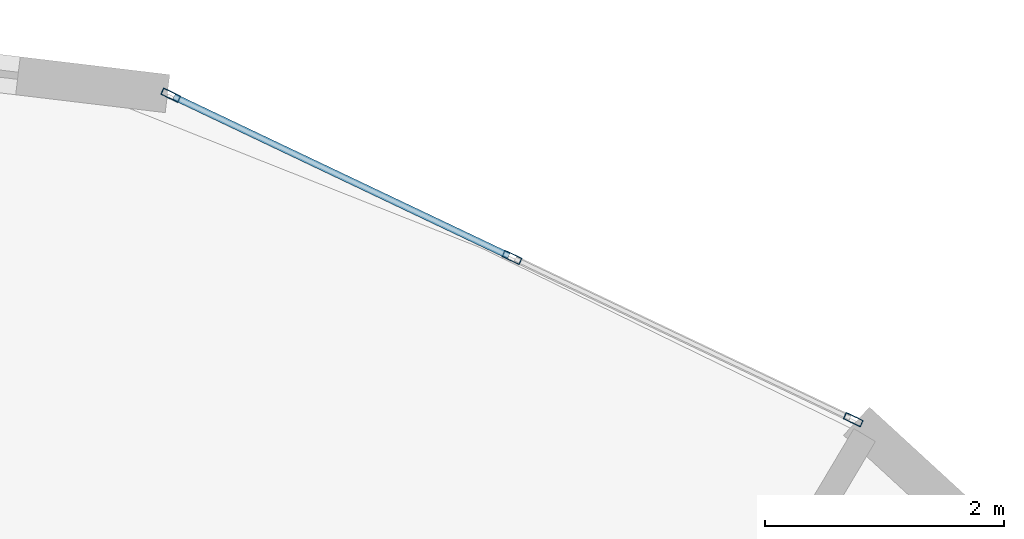
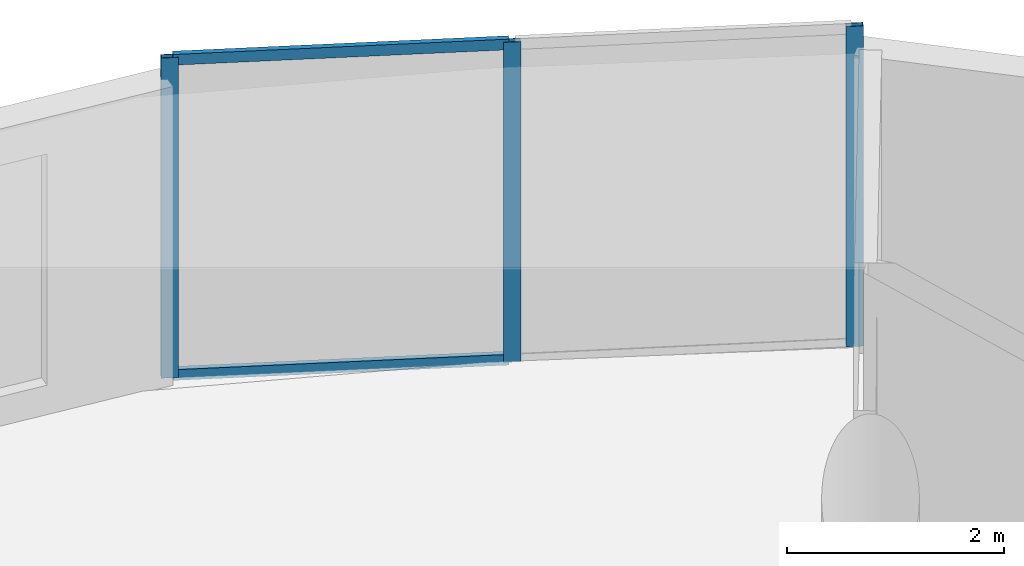
# One storey, part 13 of 20: 5 members, 1 element without a shape of its own.
"""IFC4 building model written with IfcOpenShell, lengths in metres."""

from ifc_helpers import new_model, si_unit, direction, frame, origin, origin_2d, place, context, subcontext, project, spatial, hollow_rectangle, extrude, source, transform, mapped, material, layer, layer_set, material_profile, profile_set, type_object, element, aggregate, save


model = new_model("IFC4")

# Units and contexts
model_context = context("Model", 3, precision=1e-05, world=origin(), true_north=direction((0.0, 1.0)))
body_context = subcontext(model_context, "Body", "Model", "MODEL_VIEW")
ifc_project = project(units=[si_unit("LENGTHUNIT", "METRE"), si_unit("AREAUNIT", "SQUARE_METRE"), si_unit("VOLUMEUNIT", "CUBIC_METRE"), si_unit("PLANEANGLEUNIT", "RADIAN"), si_unit("MASSUNIT", "GRAM", prefix="KILO")], contexts=[model_context])

# Site, building, storey
site_placement = place(None, origin())
site = spatial("IfcSite", under=ifc_project, at=site_placement, CompositionType="ELEMENT")
building_placement = place(site_placement, origin())
building = spatial("IfcBuilding", under=site, at=building_placement, Name="Solvirekh Grand Hotel", CompositionType="ELEMENT")
storey_placement = place(building_placement, frame((0.0, 0.0, 209.199951171875)))
storey = spatial("IfcBuildingStorey", under=building, at=storey_placement, Name="L54", CompositionType="ELEMENT", Elevation=209.199951171875)

# Curtain wall, members
ifc_material = material(Name="Anodized Bronze Aluminium 6063-T6", Category="aluminium")
ifc_layer = layer(ifc_material, 0.159912109375)
ifc_layer_set = layer_set([ifc_layer], Name="Anodized Bronze Aluminium 6063-T6")
curtain_wall_type = type_object("IfcCurtainWallType", Name="CW_Sys4_HighZoneFlushBronzeCW", PredefinedType="NOTDEFINED", material=ifc_layer_set)
curtain_wall_placement = place(storey_placement, origin())
curtain_wall = element("IfcCurtainWall", 1, at=curtain_wall_placement, inside=storey, type_object=curtain_wall_type, Name="L54 unitised bronze-glass curtain wall CW-L54-C08", PredefinedType="NOTDEFINED")
ifc_material_profile_1 = material_profile(ifc_material, hollow_rectangle(XDim=0.06005859375, YDim=0.159912109375, WallThickness=0.0048828125, at=origin_2d()), Name="ALU RHS 160X60X5")
ifc_profile_set_1 = profile_set([ifc_material_profile_1], Name="Anodized Bronze Aluminium 6063-T6")
member_type_1 = type_object("IfcMemberType", Name="CWMullion_Sys4", PredefinedType="MULLION", material=ifc_profile_set_1)
shared_shape_1 = source(origin(), body_context, "Body", "SweptSolid", [
    extrude(hollow_rectangle(XDim=0.06005859375, YDim=0.159912109375, WallThickness=0.0048828125, at=origin_2d()), origin(), (0.0, 0.0, 1.0), 3.60009765625),
])
member_1_placement = place(storey_placement, frame((10.139892578125, 17.85693359375, 0.0), z_axis=(0.0, 0.0, 1.0), x_axis=(-0.429344138522, -0.90314096946, 0.0)))
member_1 = element("IfcMember", 2, at=member_1_placement, type_object=member_type_1, Name="U04 mullion 1", PredefinedType="MULLION", context=body_context, shape_type="MappedRepresentation", body=[
    mapped(shared_shape_1, transform((0.0, 0.0, 0.0), x_axis=(1.0, 0.0, 0.0), y_axis=(0.0, 1.0, 0.0), z_axis=(0.0, 0.0, 1.0), scale=1.0)),
])
member_2_placement = place(storey_placement, frame((7.281982421875, 19.215576171875, 0.0), z_axis=(0.0, 0.0, 1.0), x_axis=(-0.429344138522, -0.90314096946, 0.0)))
member_2 = element("IfcMember", 3, at=member_2_placement, type_object=member_type_1, Name="U04 mullion 2", PredefinedType="MULLION", context=body_context, shape_type="MappedRepresentation", body=[
    mapped(shared_shape_1, transform((0.0, 0.0, 0.0), x_axis=(1.0, 0.0, 0.0), y_axis=(0.0, 1.0, 0.0), z_axis=(0.0, 0.0, 1.0), scale=1.0)),
])
member_3_placement = place(storey_placement, frame((4.424072265625, 20.57421875, 0.0), z_axis=(0.0, 0.0, 1.0), x_axis=(-0.429344138522, -0.90314096946, 0.0)))
member_3 = element("IfcMember", 4, at=member_3_placement, type_object=member_type_1, Name="U04 mullion 3", PredefinedType="MULLION", context=body_context, shape_type="MappedRepresentation", body=[
    mapped(shared_shape_1, transform((0.0, 0.0, 0.0), x_axis=(1.0, 0.0, 0.0), y_axis=(0.0, 1.0, 0.0), z_axis=(0.0, 0.0, 1.0), scale=1.0)),
])
ifc_material_profile_2 = material_profile(ifc_material, hollow_rectangle(XDim=0.054931640625, YDim=0.1201171875, WallThickness=0.00390625, at=origin_2d()), Name="ALU RHS 120X55X4")
ifc_profile_set_2 = profile_set([ifc_material_profile_2], Name="Anodized Bronze Aluminium 6063-T6")
member_type_2 = type_object("IfcMemberType", Name="CWTransom_Sys4", PredefinedType="USERDEFINED", material=ifc_profile_set_2)
shared_shape_2 = source(origin(), body_context, "Body", "SweptSolid", [
    extrude(hollow_rectangle(XDim=0.054931640625, YDim=0.1201171875, WallThickness=0.00390625, at=origin_2d()), origin(), (0.0, 0.0, 1.0), 3.1044921875),
])
member_4_placement = place(storey_placement, frame((7.2548828125, 19.228271484375, 0.027587890625), z_axis=(-0.903122006285, 0.429384025977, 0.0), x_axis=(-0.429384025977, -0.903122006285, 0.0)))
member_4 = element("IfcMember", 5, at=member_4_placement, type_object=member_type_2, Name="U04 transom 2.1", ObjectType="TRANSOM", PredefinedType="USERDEFINED", context=body_context, shape_type="MappedRepresentation", body=[
    mapped(shared_shape_2, transform((0.0, 0.0, 0.0), x_axis=(1.0, 0.0, 0.0), y_axis=(0.0, 1.0, 0.0), z_axis=(0.0, 0.0, 1.0), scale=1.0)),
])
member_5_placement = place(storey_placement, frame((7.2548828125, 19.228271484375, 3.572509765625), z_axis=(-0.903122006285, 0.429384025977, 0.0), x_axis=(-0.429384025977, -0.903122006285, 0.0)))
member_5 = element("IfcMember", 6, at=member_5_placement, type_object=member_type_2, Name="U04 transom 2.2", ObjectType="TRANSOM", PredefinedType="USERDEFINED", context=body_context, shape_type="MappedRepresentation", body=[
    mapped(shared_shape_2, transform((0.0, 0.0, 0.0), x_axis=(1.0, 0.0, 0.0), y_axis=(0.0, 1.0, 0.0), z_axis=(0.0, 0.0, 1.0), scale=1.0)),
])
aggregate(curtain_wall, [member_1, member_2, member_3, member_4, member_5])

save(model, "model.ifc")
